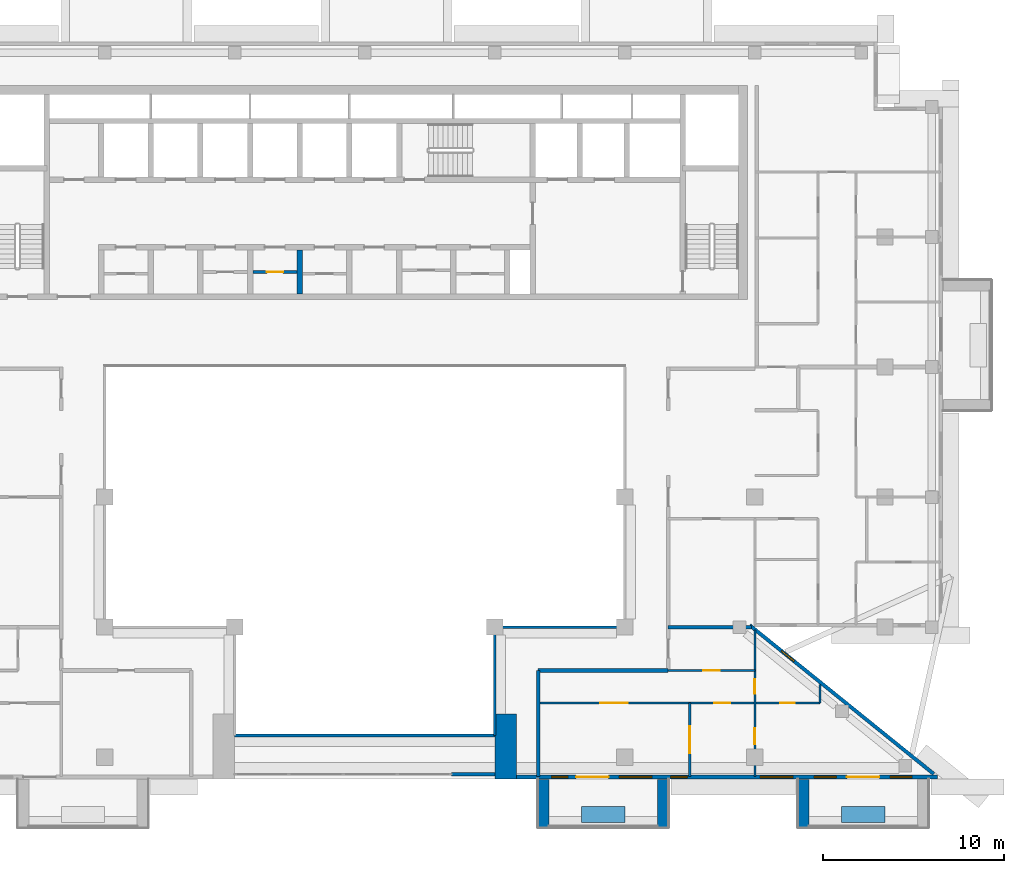
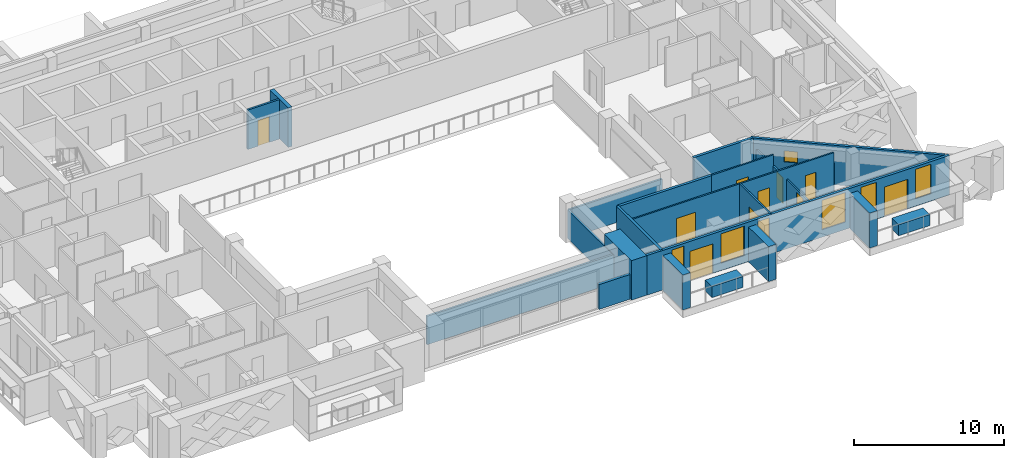
# One storey, part 8 of 19: 22 walls, 10 doors, 7 windows, 17 openings.
"""IFC4 building model written with IfcOpenShell, lengths in metres."""

from ifc_helpers import new_model, si_unit, direction, frame, frame_2d, origin, place, context, subcontext, project, spatial, rectangle, extrude, material, layer, layer_set, type_object, element, fill, save


model = new_model("IFC4")

# Units and contexts
model_context = context("Model", 3, precision=1e-05, world=origin(), true_north=direction((0.0, 1.0)))
body_context = subcontext(model_context, "Body", "Model", "MODEL_VIEW")
ifc_project = project(units=[si_unit("LENGTHUNIT", "METRE"), si_unit("AREAUNIT", "SQUARE_METRE"), si_unit("VOLUMEUNIT", "CUBIC_METRE"), si_unit("PLANEANGLEUNIT", "RADIAN"), si_unit("MASSUNIT", "GRAM", prefix="KILO")], contexts=[model_context])

# Site, building, storey
site_placement = place(None, origin())
site = spatial("IfcSite", under=ifc_project, at=site_placement, CompositionType="ELEMENT")
building_placement = place(site_placement, origin())
building = spatial("IfcBuilding", under=site, at=building_placement, Name="Saffron Iwan Residences", CompositionType="ELEMENT")
storey_placement = place(building_placement, frame((0.0, 0.0, 225.5)))
storey = spatial("IfcBuildingStorey", under=building, at=storey_placement, Name="L60", CompositionType="ELEMENT", Elevation=225.5)

# Walls
ifc_material_1 = material(Name="Fire-rated glazing", Category="glass")
ifc_layer_1 = layer(ifc_material_1, 0.14990234375)
ifc_layer_set_1 = layer_set([ifc_layer_1], Name="Fire-rated glazing")
wall_type_1 = type_object("IfcWallType", Name="Atrium glazed screen 150", PredefinedType="SOLIDWALL", material=ifc_layer_set_1)
wall_1_placement = place(storey_placement, frame((43.199951171875, 42.0, 0.0), z_axis=(0.0, 0.0, 1.0), x_axis=(1.0, 0.0, 0.0)))
element("IfcWall", 1, at=wall_1_placement, inside=storey, type_object=wall_type_1, Name="W-L60-SCREEN-h42-43.2", PredefinedType="SOLIDWALL", context=body_context, shape_type="SweptSolid", body=[
    extrude(rectangle(XDim=14.400146484375, YDim=0.14990234375, at=frame_2d((7.2001953125, 0.0))), origin(), (0.0, 0.0, 1.0), 2.320068359375),
])
wall_2_placement = place(storey_placement, frame((57.60009765625, 48.0, 0.0), z_axis=(0.0, 0.0, 1.0), x_axis=(1.0, 0.0, 0.0)))
element("IfcWall", 2, at=wall_2_placement, inside=storey, type_object=wall_type_1, Name="W-L60-SCREEN-h48-57.6", PredefinedType="SOLIDWALL", context=body_context, shape_type="SweptSolid", body=[
    extrude(rectangle(XDim=7.199951171875, YDim=0.14990234375, at=frame_2d((3.60009765625, 0.0))), origin(), (0.0, 0.0, 1.0), 2.320068359375),
])
wall_3_placement = place(storey_placement, frame((57.60009765625, 42.0, 0.0), z_axis=(0.0, 0.0, 1.0), x_axis=(0.0, 1.0, 0.0)))
element("IfcWall", 3, at=wall_3_placement, inside=storey, type_object=wall_type_1, Name="W-L60-SCREEN-v57.6-42", PredefinedType="SOLIDWALL", context=body_context, shape_type="SweptSolid", body=[
    extrude(rectangle(XDim=6.0, YDim=0.14990234375, at=frame_2d((3.0, 0.0))), origin(), (0.0, 0.0, 1.0), 2.320068359375),
])
ifc_material_2 = material(Name="Concrete C50/60 white painted", Category="concrete")
ifc_layer_2 = layer(ifc_material_2, 0.60009765625)
ifc_layer_set_2 = layer_set([ifc_layer_2], Name="Concrete C50/60 white painted")
wall_type_2 = type_object("IfcWallType", Name="BALCONY FIN 600", PredefinedType="SOLIDWALL", material=ifc_layer_set_2)
for number, where, z_axis, x_axis, name in (
    (4, (60.300048828125, 39.550048828125, 0.0), (0.0, 0.0, 1.0), (0.0, -1.0, 0.0), "Balcony fin L60 11-1a"),
    (5, (66.89990234375, 39.550048828125, 0.0), (0.0, 0.0, 1.0), (0.0, -1.0, 0.0), "Balcony fin L60 11-1b"),
    (6, (74.699951171875, 39.550048828125, 0.0), (0.0, 0.0, 1.0), (0.0, -1.0, 0.0), "Balcony fin L60 11-2a"),
):
    element("IfcWall", number, at=place(storey_placement, frame(where, z_axis=z_axis, x_axis=x_axis)), inside=storey, type_object=wall_type_2, Name=name, PredefinedType="SOLIDWALL", context=body_context, shape_type="SweptSolid", body=[
        extrude(rectangle(XDim=2.650146484375, YDim=0.60009765625, at=frame_2d((1.3251953125, 0.0))), origin(), (0.0, 0.0, 1.0), 2.85009765625),
    ])
ifc_material_3 = material(Name="Concrete C35/45 white painted", Category="concrete")
ifc_layer_3 = layer(ifc_material_3, 0.14990234375)
ifc_layer_set_3 = layer_set([ifc_layer_3], Name="Concrete C35/45 white painted")
wall_type_3 = type_object("IfcWallType", Name="BALCONY PLANTER", PredefinedType="SOLIDWALL", material=ifc_layer_set_3)
wall_4_placement = place(storey_placement, frame((62.39990234375, 37.625, 0.0), z_axis=(0.0, 0.0, 1.0), x_axis=(1.0, 0.0, 0.0)))
element("IfcWall", 7, at=wall_4_placement, inside=storey, type_object=wall_type_3, Name="PLANTER L60 11-1", PredefinedType="SOLIDWALL", context=body_context, shape_type="SweptSolid", body=[
    extrude(rectangle(XDim=2.400146484375, YDim=0.89990234375, at=frame_2d((1.2001953125, 0.0))), origin(), (0.0, 0.0, 1.0), 0.89990234375),
])
wall_5_placement = place(storey_placement, frame((76.800048828125, 37.625, 0.0), z_axis=(0.0, 0.0, 1.0), x_axis=(1.0, 0.0, 0.0)))
element("IfcWall", 8, at=wall_5_placement, inside=storey, type_object=wall_type_3, Name="PLANTER L60 11-2", PredefinedType="SOLIDWALL", context=body_context, shape_type="SweptSolid", body=[
    extrude(rectangle(XDim=2.39990234375, YDim=0.89990234375, at=frame_2d((1.199951171875, 0.0))), origin(), (0.0, 0.0, 1.0), 0.89990234375),
])

# Wall, opening, door
ifc_material_4 = material(Name="Fire-rated plasterboard partition")
ifc_layer_4 = layer(ifc_material_4, 0.14990234375)
ifc_layer_set_4 = layer_set([ifc_layer_4], Name="Fire-rated plasterboard partition")
wall_type_4 = type_object("IfcWallType", Name="Core partition 150", PredefinedType="PARTITIONING", material=ifc_layer_set_4)
wall_6_placement = place(storey_placement, frame((44.199951171875, 67.66259765625, 0.0), z_axis=(0.0, 0.0, 1.0), x_axis=(1.0, 0.0, 0.0)))
wall_6 = element("IfcWall", 9, at=wall_6_placement, inside=storey, type_object=wall_type_4, Name="Core partition P03", PredefinedType="PARTITIONING", context=body_context, shape_type="SweptSolid", body=[
    extrude(rectangle(XDim=2.449951171875, YDim=0.14990234375, at=frame_2d((1.22509765625, 0.0))), origin(), (0.0, 0.0, 1.0), 3.219970703125),
])
opening_1_placement = place(wall_6_placement, frame((0.77490234375, 0.0, 0.0)))
opening_1 = element("IfcOpeningElement", 10, at=opening_1_placement, cuts=wall_6, Name="Opening SB", PredefinedType="OPENING", context=body_context, shape_type="SweptSolid", body=[
    extrude(rectangle(XDim=0.89990234375, YDim=2.10009765625, at=frame_2d((0.449951171875, 1.050048828125))), frame((0.0, 0.0849609375, 0.0), z_axis=(0.0, -1.0, 0.0), x_axis=(1.0, 0.0, 0.0)), (0.0, 0.0, 1.0), 0.169921875),
])
ifc_material_5 = material(Name="Steel fire door", Category="steel")
door_type_1 = type_object("IfcDoorType", Name="Store door 900", OperationType="NOTDEFINED", PredefinedType="DOOR", material=ifc_material_5)
door_1_placement = place(opening_1_placement, origin())
door_1 = element("IfcDoor", 11, at=door_1_placement, inside=storey, type_object=door_type_1, Name="Door Cabling room", OperationType="SINGLE_SWING_LEFT", OverallHeight=2.10009765625, OverallWidth=0.89990234375, PredefinedType="DOOR", context=body_context, shape_type="SweptSolid", body=[
    extrude(rectangle(XDim=0.89990234375, YDim=2.10009765625, at=frame_2d((0.449951171875, 1.050048828125))), frame((0.0, 0.02490234375, 0.0), z_axis=(0.0, -1.0, 0.0), x_axis=(1.0, 0.0, 0.0)), (0.0, 0.0, 1.0), 0.050048828125),
])
fill(opening_1, door_1)

# Wall, opening, window
ifc_material_6 = material(Name="Concrete C40/50", Category="concrete")
ifc_layer_5 = layer(ifc_material_6, 0.199951171875)
ifc_layer_set_5 = layer_set([ifc_layer_5], Name="Concrete C40/50")
wall_type_5 = type_object("IfcWallType", Name="EXTERNAL WALL 200", PredefinedType="SOLIDWALL", material=ifc_layer_set_5)
wall_7_placement = place(storey_placement, frame((81.906982421875, 39.86962890625, 0.0), z_axis=(0.0, 0.0, 1.0), x_axis=(-0.777936274417, 0.62834318087, 0.0)))
wall_7 = element("IfcWall", 12, at=wall_7_placement, inside=storey, type_object=wall_type_5, Name="External wall L60 F0.0", PredefinedType="SOLIDWALL", context=body_context, shape_type="SweptSolid", body=[
    extrude(rectangle(XDim=13.0986328125, YDim=0.199951171875, at=frame_2d((6.54931640625, 0.0))), origin(), (0.0, 0.0, 1.0), 3.219970703125),
])
opening_2_placement = place(wall_7_placement, frame((9.9384765625, 0.0, 1.5)))
opening_2 = element("IfcOpeningElement", 13, at=opening_2_placement, cuts=wall_7, Name="Opening W6", PredefinedType="OPENING", context=body_context, shape_type="SweptSolid", body=[
    extrude(rectangle(XDim=0.89990234375, YDim=0.89990234375, at=frame_2d((0.449951171875, 0.449951171875))), frame((0.0, 0.10986328125, 0.0), z_axis=(0.0, -1.0, 0.0), x_axis=(1.0, 0.0, 0.0)), (0.0, 0.0, 1.0), 0.219970703125),
])
ifc_material_7 = material(Name="Clear glass, laminated double glazed", Category="glass")
window_type_1 = type_object("IfcWindowType", Name="WINDOW 900 x 900 BATH", PartitioningType="SINGLE_PANEL", PredefinedType="WINDOW", material=ifc_material_7)
window_1_placement = place(opening_2_placement, origin())
window_1 = element("IfcWindow", 14, at=window_1_placement, inside=storey, type_object=window_type_1, Name="Window L60 F0.0", OverallHeight=0.89990234375, OverallWidth=0.89990234375, PartitioningType="SINGLE_PANEL", PredefinedType="WINDOW", context=body_context, shape_type="SweptSolid", body=[
    extrude(rectangle(XDim=0.89990234375, YDim=0.89990234375, at=frame_2d((0.449951171875, 0.449951171875))), frame((0.0, 0.030029296875, 0.0), z_axis=(0.0, -1.0, 0.0), x_axis=(1.0, 0.0, 0.0)), (0.0, 0.0, 1.0), 0.06005859375),
])
fill(opening_2, window_1)

# Wall, openings, doors, windows
wall_8_placement = place(storey_placement, frame((58.800048828125, 39.699951171875, 0.0), z_axis=(0.0, 0.0, 1.0), x_axis=(1.0, 0.0, 0.0)))
wall_8 = element("IfcWall", 15, at=wall_8_placement, inside=storey, type_object=wall_type_5, Name="External wall L60 F11.1", PredefinedType="SOLIDWALL", context=body_context, shape_type="SweptSolid", body=[
    extrude(rectangle(XDim=23.31689453125, YDim=0.199951171875, at=frame_2d((11.658447265625, 0.0))), origin(), (0.0, 0.0, 1.0), 3.219970703125),
])
opening_3_placement = place(wall_8_placement, frame((3.300048828125, 0.0, 0.0)))
opening_3 = element("IfcOpeningElement", 16, at=opening_3_placement, cuts=wall_8, Name="Opening BD1", PredefinedType="OPENING", context=body_context, shape_type="SweptSolid", body=[
    extrude(rectangle(XDim=1.800048828125, YDim=2.39990234375, at=frame_2d((0.89990234375, 1.199951171875))), frame((0.0, 0.10986328125, 0.0), z_axis=(0.0, -1.0, 0.0), x_axis=(1.0, 0.0, 0.0)), (0.0, 0.0, 1.0), 0.219970703125),
])
opening_4_placement = place(wall_8_placement, frame((18.300048828125, 0.0, 0.0)))
opening_4 = element("IfcOpeningElement", 17, at=opening_4_placement, cuts=wall_8, Name="Opening BD1", PredefinedType="OPENING", context=body_context, shape_type="SweptSolid", body=[
    extrude(rectangle(XDim=1.800048828125, YDim=2.39990234375, at=frame_2d((0.89990234375, 1.199951171875))), frame((0.0, 0.10986328125, 0.0), z_axis=(0.0, -1.0, 0.0), x_axis=(1.0, 0.0, 0.0)), (0.0, 0.0, 1.0), 0.219970703125),
])
opening_5_placement = place(wall_8_placement, frame((1.949951171875, 0.0, 0.60009765625)))
opening_5 = element("IfcOpeningElement", 18, at=opening_5_placement, cuts=wall_8, Name="Opening W10", PredefinedType="OPENING", context=body_context, shape_type="SweptSolid", body=[
    extrude(rectangle(XDim=0.89990234375, YDim=2.39990234375, at=frame_2d((0.449951171875, 1.199951171875))), frame((0.0, 0.10986328125, 0.0), z_axis=(0.0, -1.0, 0.0), x_axis=(1.0, 0.0, 0.0)), (0.0, 0.0, 1.0), 0.219970703125),
])
opening_6_placement = place(wall_8_placement, frame((5.699951171875, 0.0, 0.60009765625)))
opening_6 = element("IfcOpeningElement", 19, at=opening_6_placement, cuts=wall_8, Name="Opening W8", PredefinedType="OPENING", context=body_context, shape_type="SweptSolid", body=[
    extrude(rectangle(XDim=1.800048828125, YDim=2.39990234375, at=frame_2d((0.89990234375, 1.199951171875))), frame((0.0, 0.10986328125, 0.0), z_axis=(0.0, -1.0, 0.0), x_axis=(1.0, 0.0, 0.0)), (0.0, 0.0, 1.0), 0.219970703125),
])
opening_7_placement = place(wall_8_placement, frame((8.550048828125, 0.0, 0.60009765625)))
opening_7 = element("IfcOpeningElement", 20, at=opening_7_placement, cuts=wall_8, Name="Opening W10", PredefinedType="OPENING", context=body_context, shape_type="SweptSolid", body=[
    extrude(rectangle(XDim=0.89990234375, YDim=2.39990234375, at=frame_2d((0.449951171875, 1.199951171875))), frame((0.0, 0.10986328125, 0.0), z_axis=(0.0, -1.0, 0.0), x_axis=(1.0, 0.0, 0.0)), (0.0, 0.0, 1.0), 0.219970703125),
])
opening_8_placement = place(wall_8_placement, frame((13.5, 0.0, 0.60009765625)))
opening_8 = element("IfcOpeningElement", 21, at=opening_8_placement, cuts=wall_8, Name="Opening W8", PredefinedType="OPENING", context=body_context, shape_type="SweptSolid", body=[
    extrude(rectangle(XDim=1.800048828125, YDim=2.39990234375, at=frame_2d((0.89990234375, 1.199951171875))), frame((0.0, 0.10986328125, 0.0), z_axis=(0.0, -1.0, 0.0), x_axis=(1.0, 0.0, 0.0)), (0.0, 0.0, 1.0), 0.219970703125),
])
opening_9_placement = place(wall_8_placement, frame((16.5, 0.0, 0.60009765625)))
opening_9 = element("IfcOpeningElement", 22, at=opening_9_placement, cuts=wall_8, Name="Opening W3", PredefinedType="OPENING", context=body_context, shape_type="SweptSolid", body=[
    extrude(rectangle(XDim=1.199951171875, YDim=2.39990234375, at=frame_2d((0.60009765625, 1.199951171875))), frame((0.0, 0.10986328125, 0.0), z_axis=(0.0, -1.0, 0.0), x_axis=(1.0, 0.0, 0.0)), (0.0, 0.0, 1.0), 0.219970703125),
])
opening_10_placement = place(wall_8_placement, frame((20.699951171875, 0.0, 0.60009765625)))
opening_10 = element("IfcOpeningElement", 23, at=opening_10_placement, cuts=wall_8, Name="Opening W3", PredefinedType="OPENING", context=body_context, shape_type="SweptSolid", body=[
    extrude(rectangle(XDim=1.199951171875, YDim=2.39990234375, at=frame_2d((0.60009765625, 1.199951171875))), frame((0.0, 0.10986328125, 0.0), z_axis=(0.0, -1.0, 0.0), x_axis=(1.0, 0.0, 0.0)), (0.0, 0.0, 1.0), 0.219970703125),
])
door_type_2 = type_object("IfcDoorType", Name="BALCONY DOOR 1800 x 2400", OperationType="DOUBLE_DOOR_SLIDING", PredefinedType="DOOR", material=ifc_material_7)
door_2_placement = place(opening_3_placement, origin())
door_2 = element("IfcDoor", 24, at=door_2_placement, inside=storey, type_object=door_type_2, Name="Balcony door L60 F11.0", OperationType="DOUBLE_DOOR_SLIDING", OverallHeight=2.39990234375, OverallWidth=1.800048828125, PredefinedType="DOOR", context=body_context, shape_type="SweptSolid", body=[
    extrude(rectangle(XDim=1.800048828125, YDim=2.39990234375, at=frame_2d((0.89990234375, 1.199951171875))), frame((0.0, 0.02490234375, 0.0), z_axis=(0.0, -1.0, 0.0), x_axis=(1.0, 0.0, 0.0)), (0.0, 0.0, 1.0), 0.050048828125),
])
fill(opening_3, door_2)
door_3_placement = place(opening_4_placement, origin())
door_3 = element("IfcDoor", 25, at=door_3_placement, inside=storey, type_object=door_type_2, Name="Balcony door L60 F11.1", OperationType="DOUBLE_DOOR_SLIDING", OverallHeight=2.39990234375, OverallWidth=1.800048828125, PredefinedType="DOOR", context=body_context, shape_type="SweptSolid", body=[
    extrude(rectangle(XDim=1.800048828125, YDim=2.39990234375, at=frame_2d((0.89990234375, 1.199951171875))), frame((0.0, 0.02490234375, 0.0), z_axis=(0.0, -1.0, 0.0), x_axis=(1.0, 0.0, 0.0)), (0.0, 0.0, 1.0), 0.050048828125),
])
fill(opening_4, door_3)
window_type_2 = type_object("IfcWindowType", Name="WINDOW 1200 x 2400", PartitioningType="SINGLE_PANEL", PredefinedType="WINDOW", material=ifc_material_7)
window_2_placement = place(opening_9_placement, origin())
window_2 = element("IfcWindow", 26, at=window_2_placement, inside=storey, type_object=window_type_2, Name="Window L60 F11.6", OverallHeight=2.39990234375, OverallWidth=1.199951171875, PartitioningType="SINGLE_PANEL", PredefinedType="WINDOW", context=body_context, shape_type="SweptSolid", body=[
    extrude(rectangle(XDim=1.199951171875, YDim=2.39990234375, at=frame_2d((0.60009765625, 1.199951171875))), frame((0.0, 0.030029296875, 0.0), z_axis=(0.0, -1.0, 0.0), x_axis=(1.0, 0.0, 0.0)), (0.0, 0.0, 1.0), 0.06005859375),
])
fill(opening_9, window_2)
window_3_placement = place(opening_10_placement, origin())
window_3 = element("IfcWindow", 27, at=window_3_placement, inside=storey, type_object=window_type_2, Name="Window L60 F11.7", OverallHeight=2.39990234375, OverallWidth=1.199951171875, PartitioningType="SINGLE_PANEL", PredefinedType="WINDOW", context=body_context, shape_type="SweptSolid", body=[
    extrude(rectangle(XDim=1.199951171875, YDim=2.39990234375, at=frame_2d((0.60009765625, 1.199951171875))), frame((0.0, 0.030029296875, 0.0), z_axis=(0.0, -1.0, 0.0), x_axis=(1.0, 0.0, 0.0)), (0.0, 0.0, 1.0), 0.06005859375),
])
fill(opening_10, window_3)
window_type_3 = type_object("IfcWindowType", Name="WINDOW 1800 x 2400", PartitioningType="DOUBLE_PANEL_VERTICAL", PredefinedType="WINDOW", material=ifc_material_7)
window_4_placement = place(opening_6_placement, origin())
window_4 = element("IfcWindow", 28, at=window_4_placement, inside=storey, type_object=window_type_3, Name="Window L60 F11.3", OverallHeight=2.39990234375, OverallWidth=1.800048828125, PartitioningType="DOUBLE_PANEL_VERTICAL", PredefinedType="WINDOW", context=body_context, shape_type="SweptSolid", body=[
    extrude(rectangle(XDim=1.800048828125, YDim=2.39990234375, at=frame_2d((0.89990234375, 1.199951171875))), frame((0.0, 0.030029296875, 0.0), z_axis=(0.0, -1.0, 0.0), x_axis=(1.0, 0.0, 0.0)), (0.0, 0.0, 1.0), 0.06005859375),
])
fill(opening_6, window_4)
window_5_placement = place(opening_8_placement, origin())
window_5 = element("IfcWindow", 29, at=window_5_placement, inside=storey, type_object=window_type_3, Name="Window L60 F11.5", OverallHeight=2.39990234375, OverallWidth=1.800048828125, PartitioningType="DOUBLE_PANEL_VERTICAL", PredefinedType="WINDOW", context=body_context, shape_type="SweptSolid", body=[
    extrude(rectangle(XDim=1.800048828125, YDim=2.39990234375, at=frame_2d((0.89990234375, 1.199951171875))), frame((0.0, 0.030029296875, 0.0), z_axis=(0.0, -1.0, 0.0), x_axis=(1.0, 0.0, 0.0)), (0.0, 0.0, 1.0), 0.06005859375),
])
fill(opening_8, window_5)
window_type_4 = type_object("IfcWindowType", Name="WINDOW 900 x 2400", PartitioningType="SINGLE_PANEL", PredefinedType="WINDOW", material=ifc_material_7)
window_6_placement = place(opening_5_placement, origin())
window_6 = element("IfcWindow", 30, at=window_6_placement, inside=storey, type_object=window_type_4, Name="Window L60 F11.2", OverallHeight=2.39990234375, OverallWidth=0.89990234375, PartitioningType="SINGLE_PANEL", PredefinedType="WINDOW", context=body_context, shape_type="SweptSolid", body=[
    extrude(rectangle(XDim=0.89990234375, YDim=2.39990234375, at=frame_2d((0.449951171875, 1.199951171875))), frame((0.0, 0.030029296875, 0.0), z_axis=(0.0, -1.0, 0.0), x_axis=(1.0, 0.0, 0.0)), (0.0, 0.0, 1.0), 0.06005859375),
])
fill(opening_5, window_6)
window_7_placement = place(opening_7_placement, origin())
window_7 = element("IfcWindow", 31, at=window_7_placement, inside=storey, type_object=window_type_4, Name="Window L60 F11.4", OverallHeight=2.39990234375, OverallWidth=0.89990234375, PartitioningType="SINGLE_PANEL", PredefinedType="WINDOW", context=body_context, shape_type="SweptSolid", body=[
    extrude(rectangle(XDim=0.89990234375, YDim=2.39990234375, at=frame_2d((0.449951171875, 1.199951171875))), frame((0.0, 0.030029296875, 0.0), z_axis=(0.0, -1.0, 0.0), x_axis=(1.0, 0.0, 0.0)), (0.0, 0.0, 1.0), 0.06005859375),
])
fill(opening_7, window_7)

# Walls
wall_9_placement = place(storey_placement, frame((55.199951171875, 39.85009765625, 0.0), z_axis=(0.0, 0.0, 1.0), x_axis=(1.0, 0.0, 0.0)))
element("IfcWall", 32, at=wall_9_placement, inside=storey, type_object=wall_type_5, Name="External wall infill CWB-L60-0", PredefinedType="SOLIDWALL", context=body_context, shape_type="SweptSolid", body=[
    extrude(rectangle(XDim=2.400146484375, YDim=0.199951171875, at=frame_2d((1.2001953125, 0.0))), origin(), (0.0, 0.0, 1.0), 2.02001953125),
])
ifc_material_8 = material(Name="Fire-rated gypsum board wall")
ifc_layer_6 = layer(ifc_material_8, 0.199951171875)
ifc_layer_set_6 = layer_set([ifc_layer_6], Name="Fire-rated gypsum board wall")
wall_type_6 = type_object("IfcWallType", Name="Flat demising wall 200", PredefinedType="SOLIDWALL", material=ifc_layer_set_6)
wall_10_placement = place(storey_placement, frame((67.199951171875, 48.0, 0.0), z_axis=(0.0, 0.0, 1.0), x_axis=(1.0, 0.0, 0.0)))
element("IfcWall", 33, at=wall_10_placement, inside=storey, type_object=wall_type_6, Name="W-L60-DEMISE-h48-67.2", PredefinedType="SOLIDWALL", context=body_context, shape_type="SweptSolid", body=[
    extrude(rectangle(XDim=4.60107421875, YDim=0.199951171875, at=frame_2d((2.300537109375, 0.0))), origin(), (0.0, 0.0, 1.0), 3.219970703125),
])

# Wall, openings, doors
ifc_material_9 = material(Name="Gypsum board partition")
ifc_layer_7 = layer(ifc_material_9, 0.1201171875)
ifc_layer_set_7 = layer_set([ifc_layer_7], Name="Gypsum board partition")
wall_type_7 = type_object("IfcWallType", Name="Flat partition 120", PredefinedType="PARTITIONING", material=ifc_layer_set_7)
wall_11_placement = place(storey_placement, frame((60.0, 43.800048828125, 0.0), z_axis=(0.0, 0.0, 1.0), x_axis=(1.0, 0.0, 0.0)))
wall_11 = element("IfcWall", 34, at=wall_11_placement, inside=storey, type_object=wall_type_7, Name="W-L60-PART-h43.8-60", PredefinedType="PARTITIONING", context=body_context, shape_type="SweptSolid", body=[
    extrude(rectangle(XDim=15.60009765625, YDim=0.1201171875, at=frame_2d((7.800048828125, 0.0))), origin(), (0.0, 0.0, 1.0), 3.219970703125),
])
opening_11_placement = place(wall_11_placement, frame((9.75, 0.0, 0.0)))
opening_11 = element("IfcOpeningElement", 35, at=opening_11_placement, cuts=wall_11, Name="Opening FD2", PredefinedType="OPENING", context=body_context, shape_type="SweptSolid", body=[
    extrude(rectangle(XDim=0.89990234375, YDim=2.10009765625, at=frame_2d((0.449951171875, 1.050048828125))), frame((0.0, 0.070068359375, 0.0), z_axis=(0.0, -1.0, 0.0), x_axis=(1.0, 0.0, 0.0)), (0.0, 0.0, 1.0), 0.14013671875),
])
opening_12_placement = place(wall_11_placement, frame((3.449951171875, 0.0, 0.0)))
opening_12 = element("IfcOpeningElement", 36, at=opening_12_placement, cuts=wall_11, Name="Opening FD4", PredefinedType="OPENING", context=body_context, shape_type="SweptSolid", body=[
    extrude(rectangle(XDim=1.5, YDim=2.10009765625, at=frame_2d((0.75, 1.050048828125))), frame((0.0, 0.070068359375, 0.0), z_axis=(0.0, -1.0, 0.0), x_axis=(1.0, 0.0, 0.0)), (0.0, 0.0, 1.0), 0.14013671875),
])
opening_13_placement = place(wall_11_placement, frame((13.39990234375, 0.0, 0.0)))
opening_13 = element("IfcOpeningElement", 37, at=opening_13_placement, cuts=wall_11, Name="Opening FD3", PredefinedType="OPENING", context=body_context, shape_type="SweptSolid", body=[
    extrude(rectangle(XDim=0.800048828125, YDim=2.10009765625, at=frame_2d((0.39990234375, 1.050048828125))), frame((0.0, 0.070068359375, 0.0), z_axis=(0.0, -1.0, 0.0), x_axis=(1.0, 0.0, 0.0)), (0.0, 0.0, 1.0), 0.14013671875),
])
ifc_material_10 = material(Name="Timber door", Category="wood")
door_type_3 = type_object("IfcDoorType", Name="Bathroom door 800", OperationType="NOTDEFINED", PredefinedType="DOOR", material=ifc_material_10)
door_4_placement = place(opening_13_placement, origin())
door_4 = element("IfcDoor", 38, at=door_4_placement, inside=storey, type_object=door_type_3, Name="Door L60-047", OperationType="SINGLE_SWING_LEFT", OverallHeight=2.10009765625, OverallWidth=0.800048828125, PredefinedType="DOOR", context=body_context, shape_type="SweptSolid", body=[
    extrude(rectangle(XDim=0.800048828125, YDim=2.10009765625, at=frame_2d((0.39990234375, 1.050048828125))), frame((0.0, 0.02490234375, 0.0), z_axis=(0.0, -1.0, 0.0), x_axis=(1.0, 0.0, 0.0)), (0.0, 0.0, 1.0), 0.050048828125),
])
fill(opening_13, door_4)
door_type_4 = type_object("IfcDoorType", Name="Double door 1500", OperationType="NOTDEFINED", PredefinedType="DOOR", material=ifc_material_10)
door_5_placement = place(opening_12_placement, origin())
door_5 = element("IfcDoor", 39, at=door_5_placement, inside=storey, type_object=door_type_4, Name="Door L60-044", OperationType="SINGLE_SWING_LEFT", OverallHeight=2.10009765625, OverallWidth=1.5, PredefinedType="DOOR", context=body_context, shape_type="SweptSolid", body=[
    extrude(rectangle(XDim=1.5, YDim=2.10009765625, at=frame_2d((0.75, 1.050048828125))), frame((0.0, 0.02490234375, 0.0), z_axis=(0.0, -1.0, 0.0), x_axis=(1.0, 0.0, 0.0)), (0.0, 0.0, 1.0), 0.050048828125),
])
fill(opening_12, door_5)
door_type_5 = type_object("IfcDoorType", Name="Flat door 900", OperationType="NOTDEFINED", PredefinedType="DOOR", material=ifc_material_10)
door_6_placement = place(opening_11_placement, origin())
door_6 = element("IfcDoor", 40, at=door_6_placement, inside=storey, type_object=door_type_5, Name="Door L60-043", OperationType="SINGLE_SWING_RIGHT", OverallHeight=2.10009765625, OverallWidth=0.89990234375, PredefinedType="DOOR", context=body_context, shape_type="SweptSolid", body=[
    extrude(rectangle(XDim=0.89990234375, YDim=2.10009765625, at=frame_2d((0.449951171875, 1.050048828125))), frame((0.0, 0.02490234375, 0.0), z_axis=(0.0, -1.0, 0.0), x_axis=(1.0, 0.0, 0.0)), (0.0, 0.0, 1.0), 0.050048828125),
])
fill(opening_11, door_6)

# Wall, opening, door
wall_12_placement = place(storey_placement, frame((67.199951171875, 45.60009765625, 0.0), z_axis=(0.0, 0.0, 1.0), x_axis=(1.0, 0.0, 0.0)))
wall_12 = element("IfcWall", 41, at=wall_12_placement, inside=storey, type_object=wall_type_7, Name="W-L60-PART-h45.6-67.2", PredefinedType="PARTITIONING", context=body_context, shape_type="SweptSolid", body=[
    extrude(rectangle(XDim=4.800048828125, YDim=0.1201171875, at=frame_2d((2.39990234375, 0.0))), origin(), (0.0, 0.0, 1.0), 3.219970703125),
])
opening_14_placement = place(wall_12_placement, frame((1.949951171875, 0.0, 0.0)))
opening_14 = element("IfcOpeningElement", 42, at=opening_14_placement, cuts=wall_12, Name="Opening FD2", PredefinedType="OPENING", context=body_context, shape_type="SweptSolid", body=[
    extrude(rectangle(XDim=0.89990234375, YDim=2.10009765625, at=frame_2d((0.449951171875, 1.050048828125))), frame((0.0, 0.070068359375, 0.0), z_axis=(0.0, -1.0, 0.0), x_axis=(1.0, 0.0, 0.0)), (0.0, 0.0, 1.0), 0.14013671875),
])
door_7_placement = place(opening_14_placement, origin())
door_7 = element("IfcDoor", 43, at=door_7_placement, inside=storey, type_object=door_type_5, Name="Door L60-041", OperationType="SINGLE_SWING_LEFT", OverallHeight=2.10009765625, OverallWidth=0.89990234375, PredefinedType="DOOR", context=body_context, shape_type="SweptSolid", body=[
    extrude(rectangle(XDim=0.89990234375, YDim=2.10009765625, at=frame_2d((0.449951171875, 1.050048828125))), frame((0.0, 0.02490234375, 0.0), z_axis=(0.0, -1.0, 0.0), x_axis=(1.0, 0.0, 0.0)), (0.0, 0.0, 1.0), 0.050048828125),
])
fill(opening_14, door_7)

wall_13_placement = place(storey_placement, frame((68.39990234375, 39.72509765625, 0.0), z_axis=(0.0, 0.0, 1.0), x_axis=(0.0, 1.0, 0.0)))
wall_13 = element("IfcWall", 44, at=wall_13_placement, inside=storey, type_object=wall_type_7, Name="W-L60-PART-v68.4-39.725", PredefinedType="PARTITIONING", context=body_context, shape_type="SweptSolid", body=[
    extrude(rectangle(XDim=4.074951171875, YDim=0.1201171875, at=frame_2d((2.03759765625, 0.0))), origin(), (0.0, 0.0, 1.0), 3.219970703125),
])
opening_15_placement = place(wall_13_placement, frame((1.28759765625, 0.0, 0.0)))
opening_15 = element("IfcOpeningElement", 45, at=opening_15_placement, cuts=wall_13, Name="Opening FD4", PredefinedType="OPENING", context=body_context, shape_type="SweptSolid", body=[
    extrude(rectangle(XDim=1.5, YDim=2.10009765625, at=frame_2d((0.75, 1.050048828125))), frame((0.0, 0.070068359375, 0.0), z_axis=(0.0, -1.0, 0.0), x_axis=(1.0, 0.0, 0.0)), (0.0, 0.0, 1.0), 0.14013671875),
])
door_8_placement = place(opening_15_placement, origin())
door_8 = element("IfcDoor", 46, at=door_8_placement, inside=storey, type_object=door_type_4, Name="Door L60-040", OperationType="SINGLE_SWING_RIGHT", OverallHeight=2.10009765625, OverallWidth=1.5, PredefinedType="DOOR", context=body_context, shape_type="SweptSolid", body=[
    extrude(rectangle(XDim=1.5, YDim=2.10009765625, at=frame_2d((0.75, 1.050048828125))), frame((0.0, 0.02490234375, 0.0), z_axis=(0.0, -1.0, 0.0), x_axis=(1.0, 0.0, 0.0)), (0.0, 0.0, 1.0), 0.050048828125),
])
fill(opening_15, door_8)

# Wall, openings, doors
wall_14_placement = place(storey_placement, frame((72.0, 39.72509765625, 0.0), z_axis=(0.0, 0.0, 1.0), x_axis=(0.0, 1.0, 0.0)))
wall_14 = element("IfcWall", 47, at=wall_14_placement, inside=storey, type_object=wall_type_7, Name="W-L60-PART-v72-39.725", PredefinedType="PARTITIONING", context=body_context, shape_type="SweptSolid", body=[
    extrude(rectangle(XDim=8.114013671875, YDim=0.1201171875, at=frame_2d((4.05712890625, 0.0))), origin(), (0.0, 0.0, 1.0), 2.320068359375),
])
opening_16_placement = place(wall_14_placement, frame((1.78759765625, 0.0, 0.0)))
opening_16 = element("IfcOpeningElement", 48, at=opening_16_placement, cuts=wall_14, Name="Opening FD2", PredefinedType="OPENING", context=body_context, shape_type="SweptSolid", body=[
    extrude(rectangle(XDim=0.89990234375, YDim=2.10009765625, at=frame_2d((0.449951171875, 1.050048828125))), frame((0.0, 0.070068359375, 0.0), z_axis=(0.0, -1.0, 0.0), x_axis=(1.0, 0.0, 0.0)), (0.0, 0.0, 1.0), 0.14013671875),
])
opening_17_placement = place(wall_14_placement, frame((4.574951171875, 0.0, 0.0)))
opening_17 = element("IfcOpeningElement", 49, at=opening_17_placement, cuts=wall_14, Name="Opening FD3", PredefinedType="OPENING", context=body_context, shape_type="SweptSolid", body=[
    extrude(rectangle(XDim=0.800048828125, YDim=2.10009765625, at=frame_2d((0.39990234375, 1.050048828125))), frame((0.0, 0.070068359375, 0.0), z_axis=(0.0, -1.0, 0.0), x_axis=(1.0, 0.0, 0.0)), (0.0, 0.0, 1.0), 0.14013671875),
])
door_9_placement = place(opening_17_placement, origin())
door_9 = element("IfcDoor", 50, at=door_9_placement, inside=storey, type_object=door_type_3, Name="Door L60-046", OperationType="SINGLE_SWING_RIGHT", OverallHeight=2.10009765625, OverallWidth=0.800048828125, PredefinedType="DOOR", context=body_context, shape_type="SweptSolid", body=[
    extrude(rectangle(XDim=0.800048828125, YDim=2.10009765625, at=frame_2d((0.39990234375, 1.050048828125))), frame((0.0, 0.02490234375, 0.0), z_axis=(0.0, -1.0, 0.0), x_axis=(1.0, 0.0, 0.0)), (0.0, 0.0, 1.0), 0.050048828125),
])
fill(opening_17, door_9)
door_10_placement = place(opening_16_placement, origin())
door_10 = element("IfcDoor", 51, at=door_10_placement, inside=storey, type_object=door_type_5, Name="Door L60-045", OperationType="SINGLE_SWING_RIGHT", OverallHeight=2.10009765625, OverallWidth=0.89990234375, PredefinedType="DOOR", context=body_context, shape_type="SweptSolid", body=[
    extrude(rectangle(XDim=0.89990234375, YDim=2.10009765625, at=frame_2d((0.449951171875, 1.050048828125))), frame((0.0, 0.02490234375, 0.0), z_axis=(0.0, -1.0, 0.0), x_axis=(1.0, 0.0, 0.0)), (0.0, 0.0, 1.0), 0.050048828125),
])
fill(opening_16, door_10)

# Walls
wall_15_placement = place(storey_placement, frame((75.60009765625, 43.800048828125, 0.0), z_axis=(0.0, 0.0, 1.0), x_axis=(0.0, 1.0, 0.0)))
element("IfcWall", 52, at=wall_15_placement, inside=storey, type_object=wall_type_7, Name="W-L60-PART-v75.6-43.8", PredefinedType="PARTITIONING", context=body_context, shape_type="SweptSolid", body=[
    extrude(rectangle(XDim=1.03515625, YDim=0.1201171875, at=frame_2d((0.517578125, 0.0))), origin(), (0.0, 0.0, 1.0), 2.320068359375),
])
ifc_layer_8 = layer(ifc_material_8, 0.199951171875)
ifc_layer_set_8 = layer_set([ifc_layer_8], Name="Fire-rated gypsum board wall")
wall_type_8 = type_object("IfcWallType", Name="Gallery wall 200", PredefinedType="SOLIDWALL", material=ifc_layer_set_8)
wall_16_placement = place(storey_placement, frame((60.0, 45.60009765625, 0.0), z_axis=(0.0, 0.0, 1.0), x_axis=(1.0, 0.0, 0.0)))
element("IfcWall", 53, at=wall_16_placement, inside=storey, type_object=wall_type_8, Name="W-L60-CORR-h45.6-60", PredefinedType="SOLIDWALL", context=body_context, shape_type="SweptSolid", body=[
    extrude(rectangle(XDim=7.199951171875, YDim=0.199951171875, at=frame_2d((3.60009765625, 0.0))), origin(), (0.0, 0.0, 1.0), 3.219970703125),
])
wall_17_placement = place(storey_placement, frame((60.0, 39.72509765625, 0.0), z_axis=(0.0, 0.0, 1.0), x_axis=(0.0, 1.0, 0.0)))
element("IfcWall", 54, at=wall_17_placement, inside=storey, type_object=wall_type_8, Name="W-L60-CORR-v60-39.725", PredefinedType="SOLIDWALL", context=body_context, shape_type="SweptSolid", body=[
    extrude(rectangle(XDim=5.875, YDim=0.199951171875, at=frame_2d((2.9375, 0.0))), origin(), (0.0, 0.0, 1.0), 3.219970703125),
])
ifc_layer_9 = layer(ifc_material_6, 0.300048828125)
ifc_layer_set_9 = layer_set([ifc_layer_9], Name="Concrete C40/50")
wall_type_9 = type_object("IfcWallType", Name="WALL CORE 300 C40/50 3220 HIGH", PredefinedType="SHEAR", material=ifc_layer_set_9)
wall_18_placement = place(storey_placement, frame((46.800048828125, 66.449951171875, 0.0), z_axis=(0.0, 0.0, 1.0), x_axis=(0.0, 1.0, 0.0)))
element("IfcWall", 55, at=wall_18_placement, inside=storey, type_object=wall_type_9, Name="Core wall", PredefinedType="SHEAR", context=body_context, shape_type="SweptSolid", body=[
    extrude(rectangle(XDim=2.425048828125, YDim=0.300048828125, at=frame_2d((1.21240234375, 0.0))), origin(), (0.0, 0.0, 1.0), 3.219970703125),
])
ifc_layer_10 = layer(ifc_material_6, 1.199951171875)
ifc_layer_set_10 = layer_set([ifc_layer_10], Name="Concrete C40/50")
wall_type_10 = type_object("IfcWallType", Name="WALL IWAN PIER 1200 C40/50 3220 HIGH", PredefinedType="SHEAR", material=ifc_layer_set_10)
wall_19_placement = place(storey_placement, frame((58.199951171875, 39.60009765625, 0.0), z_axis=(0.0, 0.0, 1.0), x_axis=(0.0, 1.0, 0.0)))
element("IfcWall", 56, at=wall_19_placement, inside=storey, type_object=wall_type_10, Name="IWAN PIER", PredefinedType="SHEAR", context=body_context, shape_type="SweptSolid", body=[
    extrude(rectangle(XDim=3.599853515625, YDim=1.199951171875, at=frame_2d((1.7998046875, 0.0))), origin(), (0.0, 0.0, 1.0), 3.219970703125),
])

save(model, "model.ifc")
